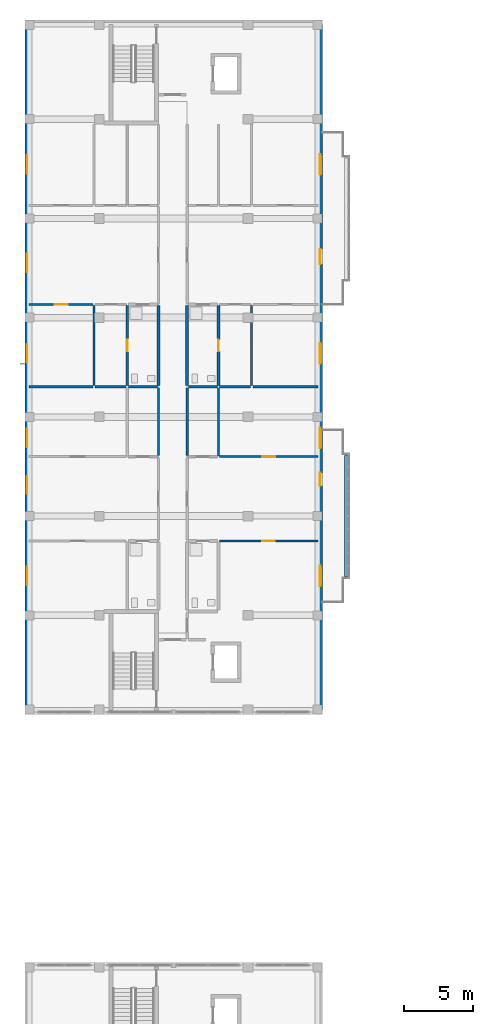
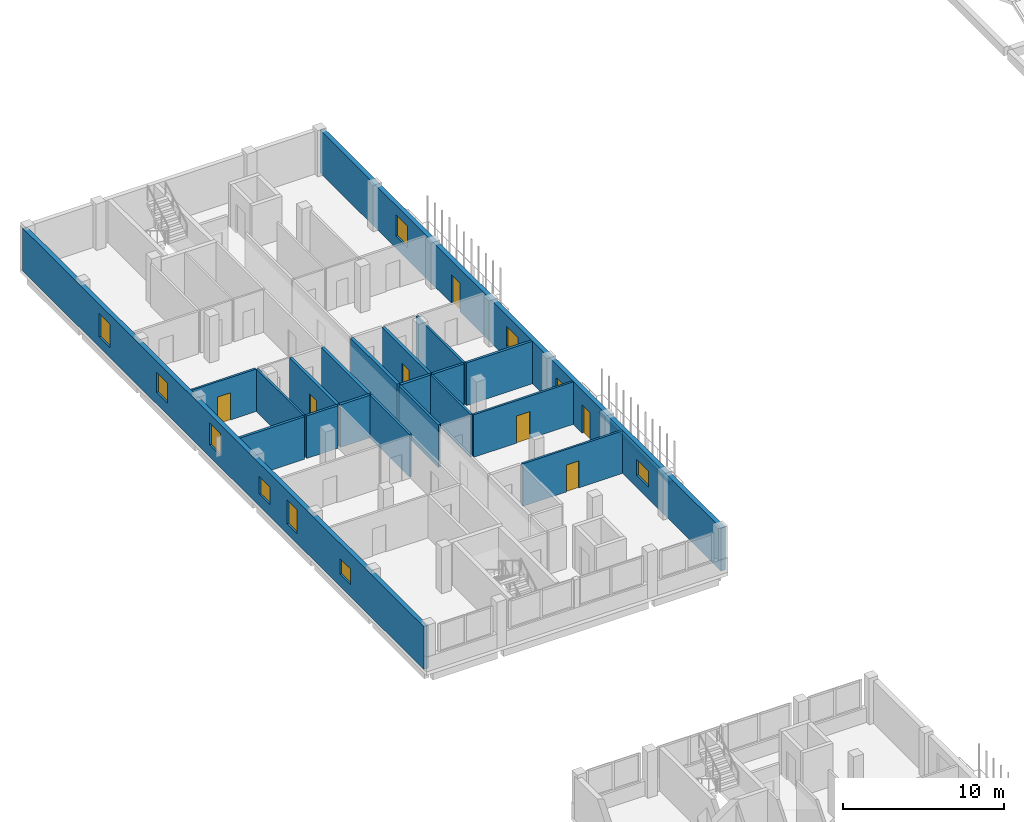
# One storey, part 42 of 73: 21 walls, 10 windows, 7 doors, 17 openings.
"""IFC4 building model written with IfcOpenShell, lengths in metres."""

from ifc_helpers import new_model, si_unit, derived_unit, direction, frame, frame_2d, origin, place, context, subcontext, project, spatial, rectangle, extrude, material, layer, layer_set, type_object, element, fill, save


model = new_model("IFC4")

# Units and contexts
model_context = context("Model", 3, precision=1e-05, world=origin(), true_north=direction((0.0, 1.0)))
body_context = subcontext(model_context, "Body", "Model", "MODEL_VIEW")
ifc_project = project(units=[si_unit("LENGTHUNIT", "METRE"), si_unit("AREAUNIT", "SQUARE_METRE"), si_unit("VOLUMEUNIT", "CUBIC_METRE"), si_unit("PLANEANGLEUNIT", "RADIAN"), si_unit("MASSUNIT", "GRAM", prefix="KILO"), derived_unit("THERMALTRANSMITTANCEUNIT", [(si_unit("MASSUNIT", "GRAM", prefix="KILO"), 1), (si_unit("TIMEUNIT", "SECOND"), -3), (si_unit("THERMODYNAMICTEMPERATUREUNIT", "KELVIN"), -1)])], contexts=[model_context])

# Site, building, storey
site_placement = place(None, origin())
site = spatial("IfcSite", under=ifc_project, at=site_placement, CompositionType="ELEMENT")
building_placement = place(site_placement, origin())
building = spatial("IfcBuilding", under=site, at=building_placement, Name="Ochrekiln Boulevard Commons", CompositionType="ELEMENT")
storey_placement = place(building_placement, frame((0.0, 0.0, 8.574951171875)))
storey = spatial("IfcBuildingStorey", under=building, at=storey_placement, Name="L02", CompositionType="ELEMENT", Elevation=8.574951171875)

# Wall, openings, windows
ifc_material_1 = material(Name="Desert ochre clinker brick masonry ASTM C216 Grade SW", Category="masonry")
ifc_layer_1 = layer(ifc_material_1, 0.320068359375)
ifc_layer_set_1 = layer_set([ifc_layer_1], Name="Desert ochre clinker brick masonry ASTM C216 Grade SW")
wall_type_1 = type_object("IfcWallType", Name="WL-EXT-OCHRE-320", PredefinedType="SOLIDWALL", material=ifc_layer_set_1)
wall_1_placement = place(storey_placement, frame((0.159912109375, 68.719970703125, 0.0), z_axis=(0.0, 0.0, 1.0), x_axis=(0.0, 1.0, 0.0)))
wall_1 = element("IfcWall", 1, at=wall_1_placement, inside=storey, type_object=wall_type_1, Name="Block A L02 W Exterior Wall", PredefinedType="SOLIDWALL", context=body_context, shape_type="SweptSolid", body=[
    extrude(rectangle(XDim=49.760009765625, YDim=0.320068359375, at=frame_2d((24.8798828125, 0.0))), origin(), (0.0, 0.0, 1.0), 3.239990234375),
])
opening_1_placement = place(wall_1_placement, frame((15.705078125, 0.0, 0.7548828125)))
opening_1 = element("IfcOpeningElement", 2, at=opening_1_placement, cuts=wall_1, Name="Opening W-20", PredefinedType="OPENING", context=body_context, shape_type="SweptSolid", body=[
    extrude(rectangle(XDim=1.25, YDim=1.800048828125, at=frame_2d((0.625, 0.89990234375))), frame((0.0, 0.169921875, 0.0), z_axis=(0.0, -1.0, 0.0), x_axis=(1.0, 0.0, 0.0)), (0.0, 0.0, 1.0), 0.340087890625),
])
opening_2_placement = place(wall_1_placement, frame((9.06103515625, 0.0, 0.89990234375)))
opening_2 = element("IfcOpeningElement", 3, at=opening_2_placement, cuts=wall_1, Name="Opening W-21", PredefinedType="OPENING", context=body_context, shape_type="SweptSolid", body=[
    extrude(rectangle(XDim=1.35009765625, YDim=1.199951171875, at=frame_2d((0.675048828125, 0.60009765625))), frame((0.0, 0.169921875, 0.0), z_axis=(0.0, -1.0, 0.0), x_axis=(1.0, 0.0, 0.0)), (0.0, 0.0, 1.0), 0.340087890625),
])
opening_3_placement = place(wall_1_placement, frame((19.06494140625, 0.0, 0.89990234375)))
opening_3 = element("IfcOpeningElement", 4, at=opening_3_placement, cuts=wall_1, Name="Opening W-22", PredefinedType="OPENING", context=body_context, shape_type="SweptSolid", body=[
    extrude(rectangle(XDim=1.35009765625, YDim=1.35009765625, at=frame_2d((0.675048828125, 0.675048828125))), frame((0.0, 0.169921875, 0.0), z_axis=(0.0, -1.0, 0.0), x_axis=(1.0, 0.0, 0.0)), (0.0, 0.0, 1.0), 0.340087890625),
])
opening_4_placement = place(wall_1_placement, frame((31.783935546875, 0.0, 0.89990234375)))
opening_4 = element("IfcOpeningElement", 5, at=opening_4_placement, cuts=wall_1, Name="Opening W-23", PredefinedType="OPENING", context=body_context, shape_type="SweptSolid", body=[
    extrude(rectangle(XDim=1.35009765625, YDim=1.5, at=frame_2d((0.675048828125, 0.75))), frame((0.0, 0.169921875, 0.0), z_axis=(0.0, -1.0, 0.0), x_axis=(1.0, 0.0, 0.0)), (0.0, 0.0, 1.0), 0.340087890625),
])
opening_5_placement = place(wall_1_placement, frame((25.2109375, 0.0, 0.89990234375)))
opening_5 = element("IfcOpeningElement", 6, at=opening_5_placement, cuts=wall_1, Name="Opening W-24", PredefinedType="OPENING", context=body_context, shape_type="SweptSolid", body=[
    extrude(rectangle(XDim=1.35009765625, YDim=1.64990234375, at=frame_2d((0.675048828125, 0.824951171875))), frame((0.0, 0.169921875, 0.0), z_axis=(0.0, -1.0, 0.0), x_axis=(1.0, 0.0, 0.0)), (0.0, 0.0, 1.0), 0.340087890625),
])
opening_6_placement = place(wall_1_placement, frame((38.9130859375, 0.0, 0.7548828125)))
opening_6 = element("IfcOpeningElement", 7, at=opening_6_placement, cuts=wall_1, Name="Opening W-25", PredefinedType="OPENING", context=body_context, shape_type="SweptSolid", body=[
    extrude(rectangle(XDim=1.35009765625, YDim=1.800048828125, at=frame_2d((0.675048828125, 0.89990234375))), frame((0.0, 0.169921875, 0.0), z_axis=(0.0, -1.0, 0.0), x_axis=(1.0, 0.0, 0.0)), (0.0, 0.0, 1.0), 0.340087890625),
])
ifc_material_2 = material(Name="Thermally broken aluminium-clad oak frame", Category="aluminium")
window_type_1 = type_object("IfcWindowType", Name="WIN-EXT-20", PartitioningType="SINGLE_PANEL", PredefinedType="WINDOW", material=ifc_material_2)
window_1_placement = place(opening_1_placement, origin())
window_1 = element("IfcWindow", 8, at=window_1_placement, inside=storey, type_object=window_type_1, Name="Block A L02 Punched Masonry Window W-20", OverallHeight=1.800048828125, OverallWidth=1.25, PartitioningType="SINGLE_PANEL", PredefinedType="WINDOW", context=body_context, shape_type="SweptSolid", body=[
    extrude(rectangle(XDim=1.25, YDim=1.800048828125, at=frame_2d((0.625, 0.89990234375))), frame((0.0, 0.030029296875, 0.0), z_axis=(0.0, -1.0, 0.0), x_axis=(1.0, 0.0, 0.0)), (0.0, 0.0, 1.0), 0.06005859375),
])
fill(opening_1, window_1)
window_type_2 = type_object("IfcWindowType", Name="WIN-EXT-21", PartitioningType="SINGLE_PANEL", PredefinedType="WINDOW", material=ifc_material_2)
window_2_placement = place(opening_2_placement, origin())
window_2 = element("IfcWindow", 9, at=window_2_placement, inside=storey, type_object=window_type_2, Name="Block A L02 Punched Masonry Window W-21", OverallHeight=1.199951171875, OverallWidth=1.35009765625, PartitioningType="SINGLE_PANEL", PredefinedType="WINDOW", context=body_context, shape_type="SweptSolid", body=[
    extrude(rectangle(XDim=1.35009765625, YDim=1.199951171875, at=frame_2d((0.675048828125, 0.60009765625))), frame((0.0, 0.030029296875, 0.0), z_axis=(0.0, -1.0, 0.0), x_axis=(1.0, 0.0, 0.0)), (0.0, 0.0, 1.0), 0.06005859375),
])
fill(opening_2, window_2)
window_type_3 = type_object("IfcWindowType", Name="WIN-EXT-22", PartitioningType="SINGLE_PANEL", PredefinedType="WINDOW", material=ifc_material_2)
window_3_placement = place(opening_3_placement, origin())
window_3 = element("IfcWindow", 10, at=window_3_placement, inside=storey, type_object=window_type_3, Name="Block A L02 Punched Masonry Window W-22", OverallHeight=1.35009765625, OverallWidth=1.35009765625, PartitioningType="SINGLE_PANEL", PredefinedType="WINDOW", context=body_context, shape_type="SweptSolid", body=[
    extrude(rectangle(XDim=1.35009765625, YDim=1.35009765625, at=frame_2d((0.675048828125, 0.675048828125))), frame((0.0, 0.030029296875, 0.0), z_axis=(0.0, -1.0, 0.0), x_axis=(1.0, 0.0, 0.0)), (0.0, 0.0, 1.0), 0.06005859375),
])
fill(opening_3, window_3)
window_type_4 = type_object("IfcWindowType", Name="WIN-EXT-23", PartitioningType="SINGLE_PANEL", PredefinedType="WINDOW", material=ifc_material_2)
window_4_placement = place(opening_4_placement, origin())
window_4 = element("IfcWindow", 11, at=window_4_placement, inside=storey, type_object=window_type_4, Name="Block A L02 Punched Masonry Window W-23", OverallHeight=1.5, OverallWidth=1.35009765625, PartitioningType="SINGLE_PANEL", PredefinedType="WINDOW", context=body_context, shape_type="SweptSolid", body=[
    extrude(rectangle(XDim=1.35009765625, YDim=1.5, at=frame_2d((0.675048828125, 0.75))), frame((0.0, 0.030029296875, 0.0), z_axis=(0.0, -1.0, 0.0), x_axis=(1.0, 0.0, 0.0)), (0.0, 0.0, 1.0), 0.06005859375),
])
fill(opening_4, window_4)
window_type_5 = type_object("IfcWindowType", Name="WIN-EXT-24", PartitioningType="SINGLE_PANEL", PredefinedType="WINDOW", material=ifc_material_2)
window_5_placement = place(opening_5_placement, origin())
window_5 = element("IfcWindow", 12, at=window_5_placement, inside=storey, type_object=window_type_5, Name="Block A L02 Punched Masonry Window W-24", OverallHeight=1.64990234375, OverallWidth=1.35009765625, PartitioningType="SINGLE_PANEL", PredefinedType="WINDOW", context=body_context, shape_type="SweptSolid", body=[
    extrude(rectangle(XDim=1.35009765625, YDim=1.64990234375, at=frame_2d((0.675048828125, 0.824951171875))), frame((0.0, 0.030029296875, 0.0), z_axis=(0.0, -1.0, 0.0), x_axis=(1.0, 0.0, 0.0)), (0.0, 0.0, 1.0), 0.06005859375),
])
fill(opening_5, window_5)
window_type_6 = type_object("IfcWindowType", Name="WIN-EXT-25", PartitioningType="SINGLE_PANEL", PredefinedType="WINDOW", material=ifc_material_2)
window_6_placement = place(opening_6_placement, origin())
window_6 = element("IfcWindow", 13, at=window_6_placement, inside=storey, type_object=window_type_6, Name="Block A L02 Punched Masonry Window W-25", OverallHeight=1.800048828125, OverallWidth=1.35009765625, PartitioningType="SINGLE_PANEL", PredefinedType="WINDOW", context=body_context, shape_type="SweptSolid", body=[
    extrude(rectangle(XDim=1.35009765625, YDim=1.800048828125, at=frame_2d((0.675048828125, 0.89990234375))), frame((0.0, 0.030029296875, 0.0), z_axis=(0.0, -1.0, 0.0), x_axis=(1.0, 0.0, 0.0)), (0.0, 0.0, 1.0), 0.06005859375),
])
fill(opening_6, window_6)

# Wall, openings, doors, windows
wall_2_placement = place(storey_placement, frame((21.43994140625, 68.719970703125, 0.0), z_axis=(0.0, 0.0, 1.0), x_axis=(0.0, 1.0, 0.0)))
wall_2 = element("IfcWall", 14, at=wall_2_placement, inside=storey, type_object=wall_type_1, Name="Block A L02 E Exterior Wall", PredefinedType="SOLIDWALL", context=body_context, shape_type="SweptSolid", body=[
    extrude(rectangle(XDim=49.760009765625, YDim=0.320068359375, at=frame_2d((24.8798828125, 0.0))), origin(), (0.0, 0.0, 1.0), 3.239990234375),
])
opening_7_placement = place(wall_2_placement, frame((16.27001953125, 0.0, 0.0)))
opening_7 = element("IfcOpeningElement", 15, at=opening_7_placement, cuts=wall_2, Name="Opening D-L02-BL006", PredefinedType="OPENING", context=body_context, shape_type="SweptSolid", body=[
    extrude(rectangle(XDim=0.949951171875, YDim=2.14990234375, at=frame_2d((0.47509765625, 1.074951171875))), frame((0.0, 0.169921875, 0.0), z_axis=(0.0, -1.0, 0.0), x_axis=(1.0, 0.0, 0.0)), (0.0, 0.0, 1.0), 0.340087890625),
])
opening_8_placement = place(wall_2_placement, frame((8.99609375, 0.0, 0.89990234375)))
opening_8 = element("IfcOpeningElement", 16, at=opening_8_placement, cuts=wall_2, Name="Opening W-26", PredefinedType="OPENING", context=body_context, shape_type="SweptSolid", body=[
    extrude(rectangle(XDim=1.47998046875, YDim=1.199951171875, at=frame_2d((0.739990234375, 0.60009765625))), frame((0.0, 0.169921875, 0.0), z_axis=(0.0, -1.0, 0.0), x_axis=(1.0, 0.0, 0.0)), (0.0, 0.0, 1.0), 0.340087890625),
])
opening_9_placement = place(wall_2_placement, frame((19.0, 0.0, 0.89990234375)))
opening_9 = element("IfcOpeningElement", 17, at=opening_9_placement, cuts=wall_2, Name="Opening W-27", PredefinedType="OPENING", context=body_context, shape_type="SweptSolid", body=[
    extrude(rectangle(XDim=1.47998046875, YDim=1.35009765625, at=frame_2d((0.739990234375, 0.675048828125))), frame((0.0, 0.169921875, 0.0), z_axis=(0.0, -1.0, 0.0), x_axis=(1.0, 0.0, 0.0)), (0.0, 0.0, 1.0), 0.340087890625),
])
opening_10_placement = place(wall_2_placement, frame((32.364990234375, 0.0, 0.0)))
opening_10 = element("IfcOpeningElement", 18, at=opening_10_placement, cuts=wall_2, Name="Opening D-L02-BL007", PredefinedType="OPENING", context=body_context, shape_type="SweptSolid", body=[
    extrude(rectangle(XDim=1.080078125, YDim=2.179931640625, at=frame_2d((0.5400390625, 1.08984375))), frame((0.0, 0.169921875, 0.0), z_axis=(0.0, -1.0, 0.0), x_axis=(1.0, 0.0, 0.0)), (0.0, 0.0, 1.0), 0.340087890625),
])
opening_11_placement = place(wall_2_placement, frame((25.14599609375, 0.0, 0.89990234375)))
opening_11 = element("IfcOpeningElement", 19, at=opening_11_placement, cuts=wall_2, Name="Opening W-28", PredefinedType="OPENING", context=body_context, shape_type="SweptSolid", body=[
    extrude(rectangle(XDim=1.47998046875, YDim=1.5, at=frame_2d((0.739990234375, 0.75))), frame((0.0, 0.169921875, 0.0), z_axis=(0.0, -1.0, 0.0), x_axis=(1.0, 0.0, 0.0)), (0.0, 0.0, 1.0), 0.340087890625),
])
opening_12_placement = place(wall_2_placement, frame((38.847900390625, 0.0, 0.89990234375)))
opening_12 = element("IfcOpeningElement", 20, at=opening_12_placement, cuts=wall_2, Name="Opening W-29", PredefinedType="OPENING", context=body_context, shape_type="SweptSolid", body=[
    extrude(rectangle(XDim=1.47998046875, YDim=1.64990234375, at=frame_2d((0.739990234375, 0.824951171875))), frame((0.0, 0.169921875, 0.0), z_axis=(0.0, -1.0, 0.0), x_axis=(1.0, 0.0, 0.0)), (0.0, 0.0, 1.0), 0.340087890625),
])
door_type_1 = type_object("IfcDoorType", Name="DR-EXT-BAL-095", OperationType="NOTDEFINED", PredefinedType="DOOR", material=ifc_material_2)
door_1_placement = place(opening_7_placement, frame((0.949951171875, 0.0, 0.0), z_axis=(0.0, 0.0, 1.0), x_axis=(-1.0, 0.0, 0.0)))
door_1 = element("IfcDoor", 21, at=door_1_placement, inside=storey, type_object=door_type_1, Name="Block A L02 Glazed Balcony Patio Door", OperationType="SINGLE_SWING_LEFT", OverallHeight=2.14990234375, OverallWidth=0.949951171875, PredefinedType="DOOR", context=body_context, shape_type="SweptSolid", body=[
    extrude(rectangle(XDim=0.949951171875, YDim=2.14990234375, at=frame_2d((0.47509765625, 1.074951171875))), frame((0.0, 0.02490234375, 0.0), z_axis=(0.0, -1.0, 0.0), x_axis=(1.0, 0.0, 0.0)), (0.0, 0.0, 1.0), 0.050048828125),
])
fill(opening_7, door_1)
door_type_2 = type_object("IfcDoorType", Name="DR-EXT-BAL-108", OperationType="NOTDEFINED", PredefinedType="DOOR", material=ifc_material_2)
door_2_placement = place(opening_10_placement, frame((1.080078125, 0.0, 0.0), z_axis=(0.0, 0.0, 1.0), x_axis=(-1.0, 0.0, 0.0)))
door_2 = element("IfcDoor", 22, at=door_2_placement, inside=storey, type_object=door_type_2, Name="Block A L02 Glazed Balcony Patio Door", OperationType="SINGLE_SWING_RIGHT", OverallHeight=2.179931640625, OverallWidth=1.080078125, PredefinedType="DOOR", context=body_context, shape_type="SweptSolid", body=[
    extrude(rectangle(XDim=1.080078125, YDim=2.179931640625, at=frame_2d((0.5400390625, 1.08984375))), frame((0.0, 0.02490234375, 0.0), z_axis=(0.0, -1.0, 0.0), x_axis=(1.0, 0.0, 0.0)), (0.0, 0.0, 1.0), 0.050048828125),
])
fill(opening_10, door_2)
window_type_7 = type_object("IfcWindowType", Name="WIN-EXT-26", PartitioningType="SINGLE_PANEL", PredefinedType="WINDOW", material=ifc_material_2)
window_7_placement = place(opening_8_placement, origin())
window_7 = element("IfcWindow", 23, at=window_7_placement, inside=storey, type_object=window_type_7, Name="Block A L02 Punched Masonry Window W-26", OverallHeight=1.199951171875, OverallWidth=1.47998046875, PartitioningType="SINGLE_PANEL", PredefinedType="WINDOW", context=body_context, shape_type="SweptSolid", body=[
    extrude(rectangle(XDim=1.47998046875, YDim=1.199951171875, at=frame_2d((0.739990234375, 0.60009765625))), frame((0.0, 0.030029296875, 0.0), z_axis=(0.0, -1.0, 0.0), x_axis=(1.0, 0.0, 0.0)), (0.0, 0.0, 1.0), 0.06005859375),
])
fill(opening_8, window_7)
window_type_8 = type_object("IfcWindowType", Name="WIN-EXT-27", PartitioningType="SINGLE_PANEL", PredefinedType="WINDOW", material=ifc_material_2)
window_8_placement = place(opening_9_placement, origin())
window_8 = element("IfcWindow", 24, at=window_8_placement, inside=storey, type_object=window_type_8, Name="Block A L02 Punched Masonry Window W-27", OverallHeight=1.35009765625, OverallWidth=1.47998046875, PartitioningType="SINGLE_PANEL", PredefinedType="WINDOW", context=body_context, shape_type="SweptSolid", body=[
    extrude(rectangle(XDim=1.47998046875, YDim=1.35009765625, at=frame_2d((0.739990234375, 0.675048828125))), frame((0.0, 0.030029296875, 0.0), z_axis=(0.0, -1.0, 0.0), x_axis=(1.0, 0.0, 0.0)), (0.0, 0.0, 1.0), 0.06005859375),
])
fill(opening_9, window_8)
window_type_9 = type_object("IfcWindowType", Name="WIN-EXT-28", PartitioningType="SINGLE_PANEL", PredefinedType="WINDOW", material=ifc_material_2)
window_9_placement = place(opening_11_placement, origin())
window_9 = element("IfcWindow", 25, at=window_9_placement, inside=storey, type_object=window_type_9, Name="Block A L02 Punched Masonry Window W-28", OverallHeight=1.5, OverallWidth=1.47998046875, PartitioningType="SINGLE_PANEL", PredefinedType="WINDOW", context=body_context, shape_type="SweptSolid", body=[
    extrude(rectangle(XDim=1.47998046875, YDim=1.5, at=frame_2d((0.739990234375, 0.75))), frame((0.0, 0.030029296875, 0.0), z_axis=(0.0, -1.0, 0.0), x_axis=(1.0, 0.0, 0.0)), (0.0, 0.0, 1.0), 0.06005859375),
])
fill(opening_11, window_9)
window_type_10 = type_object("IfcWindowType", Name="WIN-EXT-29", PartitioningType="SINGLE_PANEL", PredefinedType="WINDOW", material=ifc_material_2)
window_10_placement = place(opening_12_placement, origin())
window_10 = element("IfcWindow", 26, at=window_10_placement, inside=storey, type_object=window_type_10, Name="Block A L02 Punched Masonry Window W-29", OverallHeight=1.64990234375, OverallWidth=1.47998046875, PartitioningType="SINGLE_PANEL", PredefinedType="WINDOW", context=body_context, shape_type="SweptSolid", body=[
    extrude(rectangle(XDim=1.47998046875, YDim=1.64990234375, at=frame_2d((0.739990234375, 0.824951171875))), frame((0.0, 0.030029296875, 0.0), z_axis=(0.0, -1.0, 0.0), x_axis=(1.0, 0.0, 0.0)), (0.0, 0.0, 1.0), 0.06005859375),
])
fill(opening_12, window_10)

# Wall
ifc_material_3 = material(Name="Moisture-resistant cementitious tile backer wall")
ifc_layer_2 = layer(ifc_material_3, 0.199951171875)
ifc_layer_set_2 = layer_set([ifc_layer_2], Name="Moisture-resistant cementitious tile backer wall")
wall_type_2 = type_object("IfcWallType", Name="WL-PLM-200", PredefinedType="PLUMBINGWALL", material=ifc_layer_set_2)
wall_3_placement = place(storey_placement, frame((7.52001953125, 92.19189453125, 0.0), z_axis=(0.0, 0.0, 1.0), x_axis=(1.0, 0.0, 0.0)))
element("IfcWall", 27, at=wall_3_placement, inside=storey, type_object=wall_type_2, Name="L02 Interior Wall W-PW200", PredefinedType="PLUMBINGWALL", context=body_context, shape_type="SweptSolid", body=[
    extrude(rectangle(XDim=2.10791015625, YDim=0.199951171875, at=frame_2d((1.053955078125, 0.0))), origin(), (0.0, 0.0, 1.0), 3.219970703125),
])

# Wall, opening, door
wall_4_placement = place(storey_placement, frame((7.43994140625, 92.281982421875, 0.0), z_axis=(0.0, 0.0, 1.0), x_axis=(0.0, 1.0, 0.0)))
wall_4 = element("IfcWall", 28, at=wall_4_placement, inside=storey, type_object=wall_type_2, Name="L02 Interior Wall W-PW200", PredefinedType="PLUMBINGWALL", context=body_context, shape_type="SweptSolid", body=[
    extrude(rectangle(XDim=5.804931640625, YDim=0.199951171875, at=frame_2d((2.90234375, 0.0))), origin(), (0.0, 0.0, 1.0), 3.219970703125),
])
opening_13_placement = place(wall_4_placement, frame((2.467041015625, 0.0, 0.0)))
opening_13 = element("IfcOpeningElement", 29, at=opening_13_placement, cuts=wall_4, Name="Opening D-L02-324", PredefinedType="OPENING", context=body_context, shape_type="SweptSolid", body=[
    extrude(rectangle(XDim=0.85009765625, YDim=2.010009765625, at=frame_2d((0.425048828125, 1.0048828125))), frame((0.0, 0.10986328125, 0.0), z_axis=(0.0, -1.0, 0.0), x_axis=(1.0, 0.0, 0.0)), (0.0, 0.0, 1.0), 0.219970703125),
])
ifc_material_4 = material(Name="Solid core architectural oak door leaf")
door_type_3 = type_object("IfcDoorType", Name="DR-INT-KIT-085", OperationType="NOTDEFINED", PredefinedType="DOOR", material=ifc_material_4)
door_3_placement = place(opening_13_placement, frame((0.85009765625, 0.0, 0.0), z_axis=(0.0, 0.0, 1.0), x_axis=(-1.0, 0.0, 0.0)))
door_3 = element("IfcDoor", 30, at=door_3_placement, inside=storey, type_object=door_type_3, Name="L02 Interior Door to Apartment Bathroom", OperationType="SINGLE_SWING_RIGHT", OverallHeight=2.010009765625, OverallWidth=0.85009765625, PredefinedType="DOOR", context=body_context, shape_type="SweptSolid", body=[
    extrude(rectangle(XDim=0.85009765625, YDim=2.010009765625, at=frame_2d((0.425048828125, 1.0048828125))), frame((0.0, 0.02490234375, 0.0), z_axis=(0.0, -1.0, 0.0), x_axis=(1.0, 0.0, 0.0)), (0.0, 0.0, 1.0), 0.050048828125),
])
fill(opening_13, door_3)

# Wall
wall_5_placement = place(storey_placement, frame((11.8720703125, 92.19189453125, 0.0), z_axis=(0.0, 0.0, 1.0), x_axis=(1.0, 0.0, 0.0)))
element("IfcWall", 31, at=wall_5_placement, inside=storey, type_object=wall_type_2, Name="L02 Interior Wall W-PW200", PredefinedType="PLUMBINGWALL", context=body_context, shape_type="SweptSolid", body=[
    extrude(rectangle(XDim=2.113037109375, YDim=0.199951171875, at=frame_2d((1.056640625, 0.0))), origin(), (0.0, 0.0, 1.0), 3.219970703125),
])

# Wall, opening, door
wall_6_placement = place(storey_placement, frame((14.06005859375, 92.281982421875, 0.0), z_axis=(0.0, 0.0, 1.0), x_axis=(0.0, 1.0, 0.0)))
wall_6 = element("IfcWall", 32, at=wall_6_placement, inside=storey, type_object=wall_type_2, Name="L02 Interior Wall W-PW200", PredefinedType="PLUMBINGWALL", context=body_context, shape_type="SweptSolid", body=[
    extrude(rectangle(XDim=5.804931640625, YDim=0.199951171875, at=frame_2d((2.90234375, 0.0))), origin(), (0.0, 0.0, 1.0), 3.219970703125),
])
opening_14_placement = place(wall_6_placement, frame((2.467041015625, 0.0, 0.0)))
opening_14 = element("IfcOpeningElement", 33, at=opening_14_placement, cuts=wall_6, Name="Opening D-L02-335", PredefinedType="OPENING", context=body_context, shape_type="SweptSolid", body=[
    extrude(rectangle(XDim=0.85009765625, YDim=2.010009765625, at=frame_2d((0.425048828125, 1.0048828125))), frame((0.0, 0.10986328125, 0.0), z_axis=(0.0, -1.0, 0.0), x_axis=(1.0, 0.0, 0.0)), (0.0, 0.0, 1.0), 0.219970703125),
])
door_4_placement = place(opening_14_placement, origin())
door_4 = element("IfcDoor", 34, at=door_4_placement, inside=storey, type_object=door_type_3, Name="L02 Interior Door to Apartment Bathroom", OperationType="SINGLE_SWING_LEFT", OverallHeight=2.010009765625, OverallWidth=0.85009765625, PredefinedType="DOOR", context=body_context, shape_type="SweptSolid", body=[
    extrude(rectangle(XDim=0.85009765625, YDim=2.010009765625, at=frame_2d((0.425048828125, 1.0048828125))), frame((0.0, 0.02490234375, 0.0), z_axis=(0.0, -1.0, 0.0), x_axis=(1.0, 0.0, 0.0)), (0.0, 0.0, 1.0), 0.050048828125),
])
fill(opening_14, door_4)

# Walls
ifc_layer_3 = layer(ifc_material_3, 0.219970703125)
ifc_layer_set_3 = layer_set([ifc_layer_3], Name="Moisture-resistant cementitious tile backer wall")
wall_type_3 = type_object("IfcWallType", Name="WL-PLM-220", PredefinedType="PLUMBINGWALL", material=ifc_layer_set_3)
for number, where, z_axis, x_axis, name in (
    (35, (9.7099609375, 92.281982421875, 0.0), (0.0, 0.0, 1.0), (0.0, 1.0, 0.0), "L02 Interior Wall W-PW220"),
    (36, (11.7900390625, 92.281982421875, 0.0), (0.0, 0.0, 1.0), (0.0, 1.0, 0.0), "L02 Interior Wall W-PW220"),
):
    element("IfcWall", number, at=place(storey_placement, frame(where, z_axis=z_axis, x_axis=x_axis)), inside=storey, type_object=wall_type_3, Name=name, PredefinedType="PLUMBINGWALL", context=body_context, shape_type="SweptSolid", body=[
        extrude(rectangle(XDim=5.784912109375, YDim=0.219970703125, at=frame_2d((2.892578125, 0.0))), origin(), (0.0, 0.0, 1.0), 3.219970703125),
    ])
ifc_material_5 = material(Name="Glazed architectural terracotta ASTM C1405", Category="masonry")
ifc_layer_4 = layer(ifc_material_5, 0.25)
ifc_layer_set_4 = layer_set([ifc_layer_4], Name="Glazed architectural terracotta ASTM C1405")
wall_type_4 = type_object("IfcWallType", Name="WL-PLN-250", PredefinedType="PARAPET", material=ifc_layer_set_4)
wall_7_placement = place(storey_placement, frame((23.320068359375, 78.409912109375, 0.0), z_axis=(0.0, 0.0, 1.0), x_axis=(0.0, 1.0, 0.0)))
element("IfcWall", 37, at=wall_7_placement, inside=storey, type_object=wall_type_4, Name="Block A L02 Balcony Terracotta Planter Box 1", PredefinedType="PARAPET", context=body_context, shape_type="SweptSolid", body=[
    extrude(rectangle(XDim=8.780029296875, YDim=0.25, at=frame_2d((4.39013671875, 0.0))), origin(), (0.0, 0.0, 1.0), 0.22998046875),
])
ifc_material_6 = material(Name="Fire-rated Type X gypsum board on steel studs", Category="steel")
ifc_layer_5 = layer(ifc_material_6, 0.1650390625)
ifc_layer_set_5 = layer_set([ifc_layer_5], Name="Fire-rated Type X gypsum board on steel studs")
wall_type_5 = type_object("IfcWallType", Name="WL-PT-CORR-165", PredefinedType="PARTITIONING", material=ifc_layer_set_5)
for number, where, z_axis, x_axis, name in (
    (38, (9.7099609375, 87.18994140625, 0.0), (0.0, 0.0, 1.0), (0.0, 1.0, 0.0), "L02 Interior Wall W-PC165"),
    (39, (11.7900390625, 87.18994140625, 0.0), (0.0, 0.0, 1.0), (0.0, 1.0, 0.0), "L02 Interior Wall W-PC165"),
):
    element("IfcWall", number, at=place(storey_placement, frame(where, z_axis=z_axis, x_axis=x_axis)), inside=storey, type_object=wall_type_5, Name=name, PredefinedType="PARTITIONING", context=body_context, shape_type="SweptSolid", body=[
        extrude(rectangle(XDim=4.912109375, YDim=0.1650390625, at=frame_2d((2.4560546875, 0.0))), origin(), (0.0, 0.0, 1.0), 3.219970703125),
    ])
ifc_layer_6 = layer(ifc_material_6, 0.179931640625)
ifc_layer_set_6 = layer_set([ifc_layer_6], Name="Fire-rated Type X gypsum board on steel studs")
wall_type_6 = type_object("IfcWallType", Name="WL-PT-DEM-180", PredefinedType="PARTITIONING", material=ifc_layer_set_6)
wall_8_placement = place(storey_placement, frame((0.320068359375, 92.19189453125, 0.0), z_axis=(0.0, 0.0, 1.0), x_axis=(1.0, 0.0, 0.0)))
element("IfcWall", 40, at=wall_8_placement, inside=storey, type_object=wall_type_6, Name="L02 Interior Wall W-PD180", PredefinedType="PARTITIONING", context=body_context, shape_type="SweptSolid", body=[
    extrude(rectangle(XDim=4.6298828125, YDim=0.179931640625, at=frame_2d((2.31494140625, 0.0))), origin(), (0.0, 0.0, 1.0), 3.219970703125),
])
wall_9_placement = place(storey_placement, frame((5.110107421875, 92.19189453125, 0.0), z_axis=(0.0, 0.0, 1.0), x_axis=(1.0, 0.0, 0.0)))
element("IfcWall", 41, at=wall_9_placement, inside=storey, type_object=wall_type_6, Name="L02 Interior Wall W-PD180", PredefinedType="PARTITIONING", context=body_context, shape_type="SweptSolid", body=[
    extrude(rectangle(XDim=2.25, YDim=0.179931640625, at=frame_2d((1.125, 0.0))), origin(), (0.0, 0.0, 1.0), 3.219970703125),
])
wall_10_placement = place(storey_placement, frame((16.550048828125, 92.19189453125, 0.0), z_axis=(0.0, 0.0, 1.0), x_axis=(1.0, 0.0, 0.0)))
element("IfcWall", 42, at=wall_10_placement, inside=storey, type_object=wall_type_6, Name="L02 Interior Wall W-PD180", PredefinedType="PARTITIONING", context=body_context, shape_type="SweptSolid", body=[
    extrude(rectangle(XDim=4.72998046875, YDim=0.179931640625, at=frame_2d((2.364990234375, 0.0))), origin(), (0.0, 0.0, 1.0), 3.219970703125),
])
wall_11_placement = place(storey_placement, frame((14.135009765625, 92.19189453125, 0.0), z_axis=(0.0, 0.0, 1.0), x_axis=(1.0, 0.0, 0.0)))
element("IfcWall", 43, at=wall_11_placement, inside=storey, type_object=wall_type_6, Name="L02 Interior Wall W-PD180", PredefinedType="PARTITIONING", context=body_context, shape_type="SweptSolid", body=[
    extrude(rectangle(XDim=2.2548828125, YDim=0.179931640625, at=frame_2d((1.12744140625, 0.0))), origin(), (0.0, 0.0, 1.0), 3.219970703125),
])

# Wall, opening, door
ifc_layer_7 = layer(ifc_material_6, 0.14990234375)
ifc_layer_set_7 = layer_set([ifc_layer_7], Name="Fire-rated Type X gypsum board on steel studs")
wall_type_7 = type_object("IfcWallType", Name="WL-PT-STD-150", PredefinedType="PARTITIONING", material=ifc_layer_set_7)
wall_12_placement = place(storey_placement, frame((0.320068359375, 98.14697265625, 0.0), z_axis=(0.0, 0.0, 1.0), x_axis=(1.0, 0.0, 0.0)))
wall_12 = element("IfcWall", 44, at=wall_12_placement, inside=storey, type_object=wall_type_7, Name="L02 Interior Wall W-PS150", PredefinedType="PARTITIONING", context=body_context, shape_type="SweptSolid", body=[
    extrude(rectangle(XDim=4.6298828125, YDim=0.14990234375, at=frame_2d((2.31494140625, 0.0))), origin(), (0.0, 0.0, 1.0), 3.219970703125),
])
opening_15_placement = place(wall_12_placement, frame((1.860107421875, 0.0, 0.0)))
opening_15 = element("IfcOpeningElement", 45, at=opening_15_placement, cuts=wall_12, Name="Opening D-L02-320", PredefinedType="OPENING", context=body_context, shape_type="SweptSolid", body=[
    extrude(rectangle(XDim=0.93994140625, YDim=2.06005859375, at=frame_2d((0.469970703125, 1.030029296875))), frame((0.0, 0.0849609375, 0.0), z_axis=(0.0, -1.0, 0.0), x_axis=(1.0, 0.0, 0.0)), (0.0, 0.0, 1.0), 0.169921875),
])
door_type_4 = type_object("IfcDoorType", Name="DR-INT-BED-094", OperationType="NOTDEFINED", PredefinedType="DOOR", material=ifc_material_4)
door_5_placement = place(opening_15_placement, frame((0.93994140625, 0.0, 0.0), z_axis=(0.0, 0.0, 1.0), x_axis=(-1.0, 0.0, 0.0)))
door_5 = element("IfcDoor", 46, at=door_5_placement, inside=storey, type_object=door_type_4, Name="L02 Interior Door to Primary Apartment Bedroom", OperationType="SINGLE_SWING_RIGHT", OverallHeight=2.06005859375, OverallWidth=0.93994140625, PredefinedType="DOOR", context=body_context, shape_type="SweptSolid", body=[
    extrude(rectangle(XDim=0.93994140625, YDim=2.06005859375, at=frame_2d((0.469970703125, 1.030029296875))), frame((0.0, 0.02490234375, 0.0), z_axis=(0.0, -1.0, 0.0), x_axis=(1.0, 0.0, 0.0)), (0.0, 0.0, 1.0), 0.050048828125),
])
fill(opening_15, door_5)

# Wall
wall_13_placement = place(storey_placement, frame((5.030029296875, 92.281982421875, 0.0), z_axis=(0.0, 0.0, 1.0), x_axis=(0.0, 1.0, 0.0)))
element("IfcWall", 47, at=wall_13_placement, inside=storey, type_object=wall_type_7, Name="L02 Interior Wall W-PS150", PredefinedType="PARTITIONING", context=body_context, shape_type="SweptSolid", body=[
    extrude(rectangle(XDim=5.7900390625, YDim=0.14990234375, at=frame_2d((2.89501953125, 0.0))), origin(), (0.0, 0.0, 1.0), 3.219970703125),
])

# Wall, opening, door
wall_14_placement = place(storey_placement, frame((14.139892578125, 80.991943359375, 0.0), z_axis=(0.0, 0.0, 1.0), x_axis=(1.0, 0.0, 0.0)))
wall_14 = element("IfcWall", 48, at=wall_14_placement, inside=storey, type_object=wall_type_7, Name="L02 Interior Wall W-PS150", PredefinedType="PARTITIONING", context=body_context, shape_type="SweptSolid", body=[
    extrude(rectangle(XDim=7.14013671875, YDim=0.14990234375, at=frame_2d((3.570068359375, 0.0))), origin(), (0.0, 0.0, 1.0), 3.219970703125),
])
opening_16_placement = place(wall_14_placement, frame((3.10498046875, 0.0, 0.0)))
opening_16 = element("IfcOpeningElement", 49, at=opening_16_placement, cuts=wall_14, Name="Opening D-L02-327", PredefinedType="OPENING", context=body_context, shape_type="SweptSolid", body=[
    extrude(rectangle(XDim=0.89990234375, YDim=2.0400390625, at=frame_2d((0.449951171875, 1.02001953125))), frame((0.0, 0.0849609375, 0.0), z_axis=(0.0, -1.0, 0.0), x_axis=(1.0, 0.0, 0.0)), (0.0, 0.0, 1.0), 0.169921875),
])
door_type_5 = type_object("IfcDoorType", Name="DR-INT-BED-090", OperationType="NOTDEFINED", PredefinedType="DOOR", material=ifc_material_4)
door_6_placement = place(opening_16_placement, frame((0.89990234375, 0.0, 0.0), z_axis=(0.0, 0.0, 1.0), x_axis=(-1.0, 0.0, 0.0)))
door_6 = element("IfcDoor", 50, at=door_6_placement, inside=storey, type_object=door_type_5, Name="L02 Interior Door to Primary Apartment Bedroom", OperationType="SINGLE_SWING_LEFT", OverallHeight=2.0400390625, OverallWidth=0.89990234375, PredefinedType="DOOR", context=body_context, shape_type="SweptSolid", body=[
    extrude(rectangle(XDim=0.89990234375, YDim=2.0400390625, at=frame_2d((0.449951171875, 1.02001953125))), frame((0.0, 0.02490234375, 0.0), z_axis=(0.0, -1.0, 0.0), x_axis=(1.0, 0.0, 0.0)), (0.0, 0.0, 1.0), 0.050048828125),
])
fill(opening_16, door_6)

wall_15_placement = place(storey_placement, frame((14.139892578125, 87.110107421875, 0.0), z_axis=(0.0, 0.0, 1.0), x_axis=(1.0, 0.0, 0.0)))
wall_15 = element("IfcWall", 51, at=wall_15_placement, inside=storey, type_object=wall_type_7, Name="L02 Interior Wall W-PS150", PredefinedType="PARTITIONING", context=body_context, shape_type="SweptSolid", body=[
    extrude(rectangle(XDim=7.14013671875, YDim=0.14990234375, at=frame_2d((3.570068359375, 0.0))), origin(), (0.0, 0.0, 1.0), 3.219970703125),
])
opening_17_placement = place(wall_15_placement, frame((3.0849609375, 0.0, 0.0)))
opening_17 = element("IfcOpeningElement", 52, at=opening_17_placement, cuts=wall_15, Name="Opening D-L02-328", PredefinedType="OPENING", context=body_context, shape_type="SweptSolid", body=[
    extrude(rectangle(XDim=0.93994140625, YDim=2.06005859375, at=frame_2d((0.469970703125, 1.030029296875))), frame((0.0, 0.0849609375, 0.0), z_axis=(0.0, -1.0, 0.0), x_axis=(1.0, 0.0, 0.0)), (0.0, 0.0, 1.0), 0.169921875),
])
door_7_placement = place(opening_17_placement, origin())
door_7 = element("IfcDoor", 53, at=door_7_placement, inside=storey, type_object=door_type_4, Name="L02 Interior Door to Secondary Apartment Bedroom", OperationType="SINGLE_SWING_RIGHT", OverallHeight=2.06005859375, OverallWidth=0.93994140625, PredefinedType="DOOR", context=body_context, shape_type="SweptSolid", body=[
    extrude(rectangle(XDim=0.93994140625, YDim=2.06005859375, at=frame_2d((0.469970703125, 1.030029296875))), frame((0.0, 0.02490234375, 0.0), z_axis=(0.0, -1.0, 0.0), x_axis=(1.0, 0.0, 0.0)), (0.0, 0.0, 1.0), 0.050048828125),
])
fill(opening_17, door_7)

# Walls
wall_16_placement = place(storey_placement, frame((14.06005859375, 87.169921875, 0.0), z_axis=(0.0, 0.0, 1.0), x_axis=(0.0, 1.0, 0.0)))
element("IfcWall", 54, at=wall_16_placement, inside=storey, type_object=wall_type_7, Name="L02 Interior Wall W-PS150", PredefinedType="PARTITIONING", context=body_context, shape_type="SweptSolid", body=[
    extrude(rectangle(XDim=4.93212890625, YDim=0.14990234375, at=frame_2d((2.466064453125, 0.0))), origin(), (0.0, 0.0, 1.0), 3.219970703125),
])
wall_17_placement = place(storey_placement, frame((16.469970703125, 92.281982421875, 0.0), z_axis=(0.0, 0.0, 1.0), x_axis=(0.0, 1.0, 0.0)))
element("IfcWall", 55, at=wall_17_placement, inside=storey, type_object=wall_type_7, Name="L02 Interior Wall W-PS150", PredefinedType="PARTITIONING", context=body_context, shape_type="SweptSolid", body=[
    extrude(rectangle(XDim=5.7900390625, YDim=0.14990234375, at=frame_2d((2.89501953125, 0.0))), origin(), (0.0, 0.0, 1.0), 3.219970703125),
])

save(model, "model.ifc")
